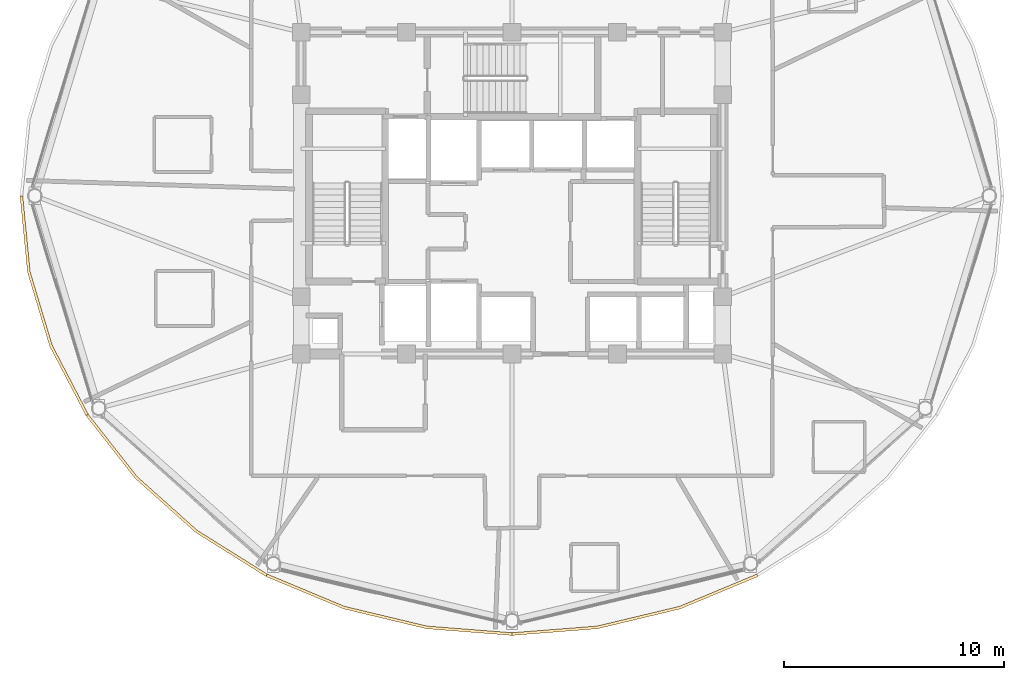
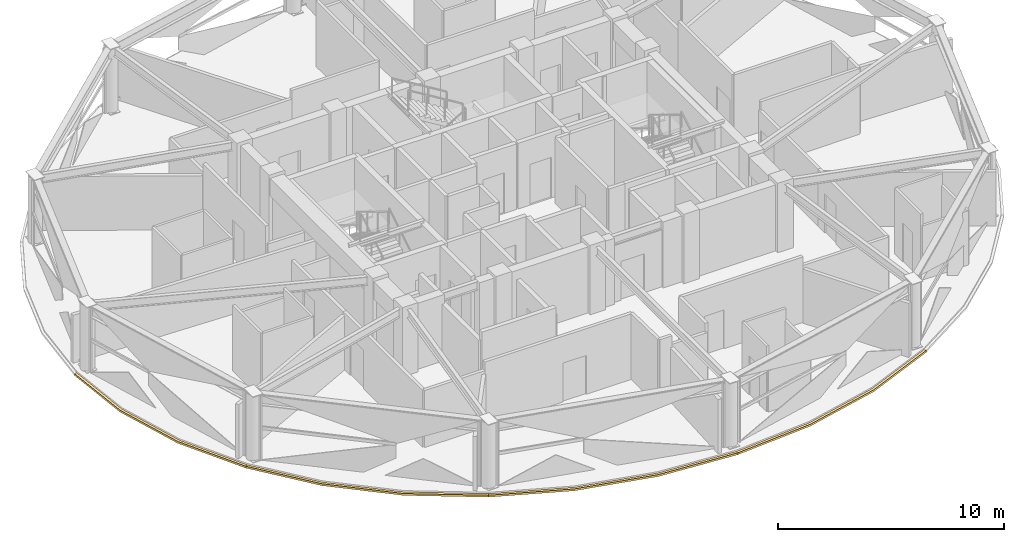
# One storey, part 25 of 28: 4 coverings.
"""IFC4 building model written with IfcOpenShell, lengths in metres."""

from ifc_helpers import new_model, si_unit, direction, frame, origin, place, context, subcontext, project, spatial, polyline, outline, extrude, material, layer, layer_set, type_object, element, save


model = new_model("IFC4")

# Units and contexts
model_context = context("Model", 3, precision=1e-05, world=origin(), true_north=direction((0.0, 1.0)))
body_context = subcontext(model_context, "Body", "Model", "MODEL_VIEW")
ifc_project = project(units=[si_unit("LENGTHUNIT", "METRE"), si_unit("AREAUNIT", "SQUARE_METRE"), si_unit("VOLUMEUNIT", "CUBIC_METRE"), si_unit("PLANEANGLEUNIT", "RADIAN"), si_unit("MASSUNIT", "GRAM", prefix="KILO")], contexts=[model_context])

# Site, building, storey
site_placement = place(None, origin())
site = spatial("IfcSite", under=ifc_project, at=site_placement, CompositionType="ELEMENT")
building_placement = place(site_placement, origin())
building = spatial("IfcBuilding", under=site, at=building_placement, Name="Vantalir Tower", CompositionType="ELEMENT")
storey_placement = place(building_placement, frame((0.0, 0.0, 238.64990234375)))
storey = spatial("IfcBuildingStorey", under=building, at=storey_placement, Name="L60", CompositionType="ELEMENT", Elevation=238.64990234375)

# Coverings
ifc_material = material(Name="Anodised champagne aluminium sill fascia", Category="aluminium")
ifc_layer = layer(ifc_material, 0.125)
ifc_layer_set = layer_set([ifc_layer], Name="Anodised champagne aluminium sill fascia")
covering_type = type_object("IfcCoveringType", Name="COV-SLAB-FASCIA-125", PredefinedType="CLADDING", material=ifc_layer_set)
covering_1_placement = place(storey_placement, frame((0.0, 0.0, -0.179931640625)))
element("IfcCovering", 1, at=covering_1_placement, inside=storey, type_object=covering_type, Name="L60 Perimeter Slab-Edge Sill Fascia 07", PredefinedType="CLADDING", context=body_context, shape_type="SweptSolid", body=[
    extrude(outline(polyline([(9.10693359375, 25.0), (9.447021484375, 21.52587890625), (10.45703125, 18.156982421875), (12.10693359375, 14.99609375), (12.215087890625, 15.05810546875), (10.574951171875, 18.199951171875), (9.570068359375, 21.547119140625), (9.23193359375, 25.0), (9.10693359375, 25.0)])), origin(), (0.0, 0.0, 1.0), 0.10498046875),
])
covering_2_placement = place(storey_placement, frame((0.0, 0.0, -0.179931640625)))
element("IfcCovering", 2, at=covering_2_placement, inside=storey, type_object=covering_type, Name="L60 Perimeter Slab-Edge Sill Fascia 08", PredefinedType="CLADDING", context=body_context, shape_type="SweptSolid", body=[
    extrude(outline(polyline([(12.10693359375, 14.99609375), (14.345947265625, 12.138916015625), (17.10595703125, 9.673095703125), (20.302978515625, 7.673095703125), (20.365966796875, 7.781005859375), (17.18603515625, 9.76904296875), (14.44189453125, 12.218994140625), (12.215087890625, 15.05810546875), (12.10693359375, 14.99609375)])), origin(), (0.0, 0.0, 1.0), 0.10498046875),
])
covering_3_placement = place(storey_placement, frame((0.0, 0.0, -0.179931640625)))
element("IfcCovering", 3, at=covering_3_placement, inside=storey, type_object=covering_type, Name="L60 Perimeter Slab-Edge Sill Fascia 09", PredefinedType="CLADDING", context=body_context, shape_type="SweptSolid", body=[
    extrude(outline(polyline([(20.302978515625, 7.673095703125), (23.841064453125, 6.198974609375), (27.611083984375, 5.2958984375), (31.5, 4.991943359375), (31.5, 5.116943359375), (27.633056640625, 5.4189453125), (23.884033203125, 6.31591796875), (20.365966796875, 7.781005859375), (20.302978515625, 7.673095703125)])), origin(), (0.0, 0.0, 1.0), 0.10498046875),
])
covering_4_placement = place(storey_placement, frame((0.0, 0.0, -0.179931640625)))
element("IfcCovering", 4, at=covering_4_placement, inside=storey, type_object=covering_type, Name="L60 Perimeter Slab-Edge Sill Fascia 10", PredefinedType="CLADDING", context=body_context, shape_type="SweptSolid", body=[
    extrude(outline(polyline([(31.5, 4.991943359375), (35.388916015625, 5.2958984375), (39.158935546875, 6.198974609375), (42.697021484375, 7.673095703125), (42.634033203125, 7.781005859375), (39.115966796875, 6.31591796875), (35.366943359375, 5.4189453125), (31.5, 5.116943359375), (31.5, 4.991943359375)])), origin(), (0.0, 0.0, 1.0), 0.10498046875),
])

save(model, "model.ifc")
